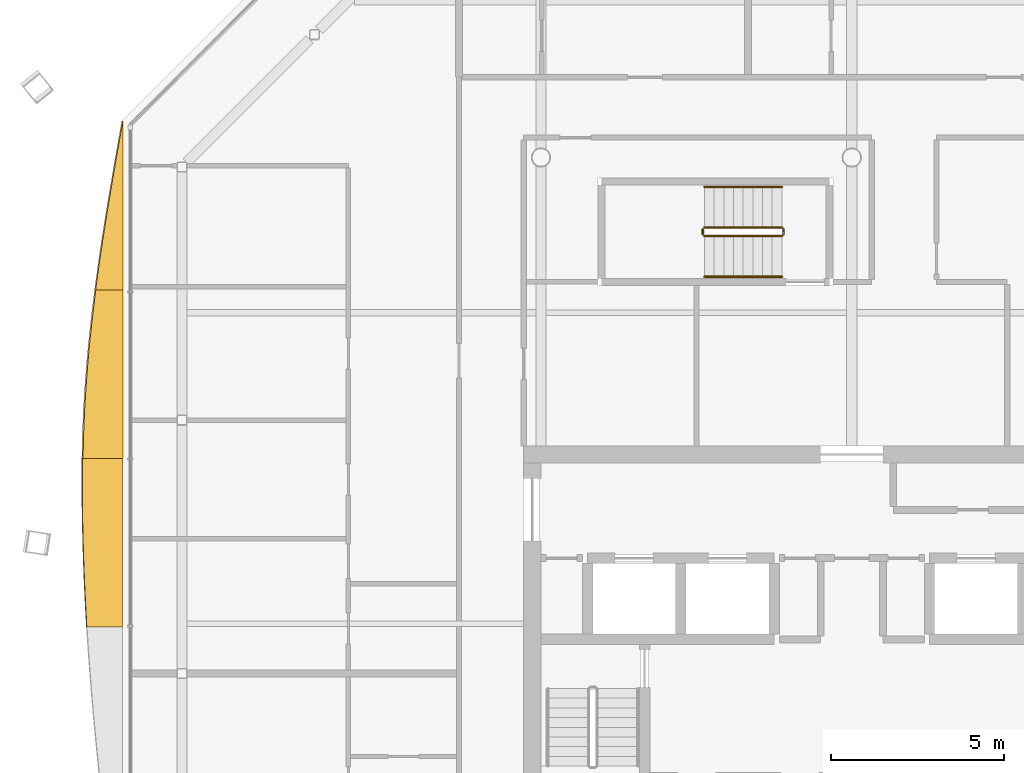
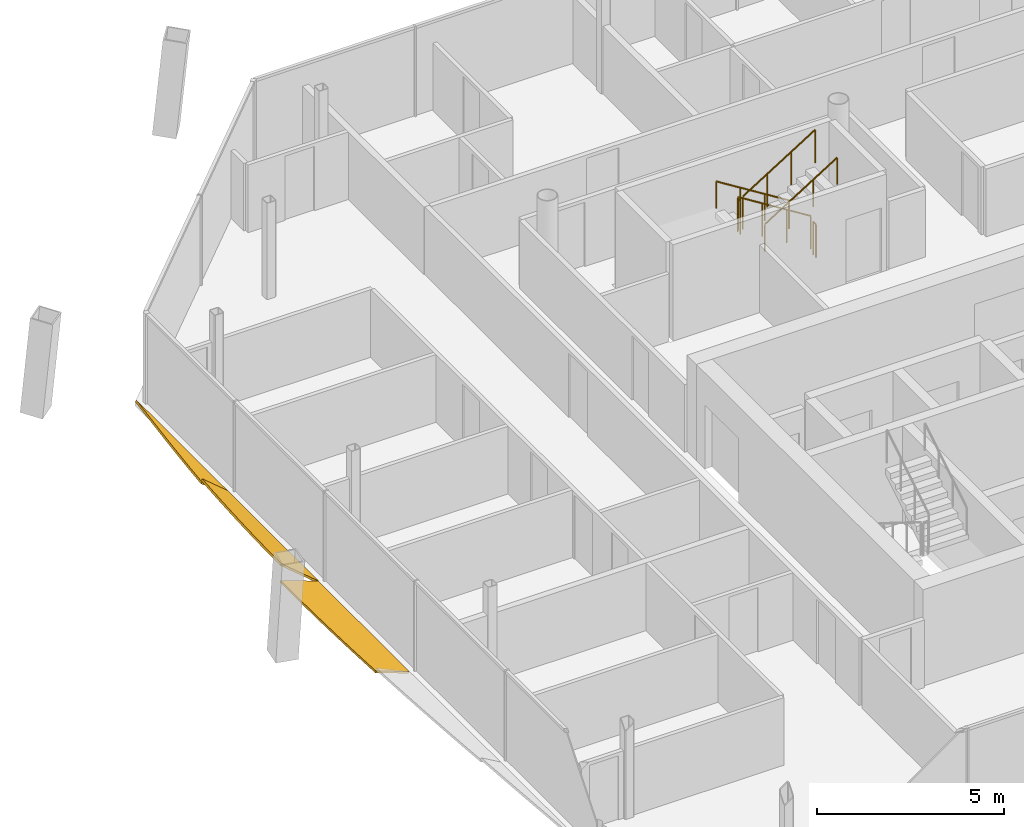
# One storey, part 14 of 15: 6 railings, 3 shading devices.
"""IFC4 building model written with IfcOpenShell, lengths in metres."""

from ifc_helpers import new_model, si_unit, direction, frame, origin, origin_2d, place, context, subcontext, project, spatial, polyline, circle, outline, extrude, material, layer, layer_set, type_object, element, save


model = new_model("IFC4")

# Units and contexts
model_context = context("Model", 3, precision=1e-05, world=origin(), true_north=direction((0.0, 1.0)))
body_context = subcontext(model_context, "Body", "Model", "MODEL_VIEW")
ifc_project = project(units=[si_unit("LENGTHUNIT", "METRE"), si_unit("AREAUNIT", "SQUARE_METRE"), si_unit("VOLUMEUNIT", "CUBIC_METRE"), si_unit("PLANEANGLEUNIT", "RADIAN"), si_unit("MASSUNIT", "GRAM", prefix="KILO")], contexts=[model_context])

# Site, building, storey
site_placement = place(None, origin())
site = spatial("IfcSite", under=ifc_project, at=site_placement, CompositionType="ELEMENT")
building_placement = place(site_placement, origin())
building = spatial("IfcBuilding", under=site, at=building_placement, Name="Tskaro Facet Tower", CompositionType="ELEMENT")
storey_placement = place(building_placement, frame((0.0, 0.0, 242.39990234375)))
storey = spatial("IfcBuildingStorey", under=building, at=storey_placement, Name="L63", CompositionType="ELEMENT", Elevation=242.39990234375)

# Shading devices
ifc_material_1 = material(Name="Bronze anodised aluminium 6063-T6", Category="aluminium")
ifc_layer = layer(ifc_material_1, 0.06005859375, Name="Bronze anodised aluminium 6063-T6")
ifc_layer_set = layer_set([ifc_layer], Name="Bronze anodised aluminium 6063-T6")
shading_device_type = type_object("IfcShadingDeviceType", Name="Bronze sun blade (FN1)", PredefinedType="USERDEFINED", material=ifc_layer_set)
shading_device_1_placement = place(storey_placement, frame((-21.1044921875, 10.052001953125, 0.04931640625), z_axis=(0.573448390661, 2.7905163e-05, 0.819241687458), x_axis=(1.6002171e-05, -0.999999999611, 2.2861073e-05)))
element("IfcShadingDevice", 1, at=shading_device_1_placement, inside=storey, type_object=shading_device_type, Name="Fin blade west 1", ObjectType="FIN", PredefinedType="USERDEFINED", context=body_context, shape_type="SweptSolid", body=[
    extrude(outline(polyline([(0.0, 0.0), (4.881835935599262, -1.654030352861034e-20), (4.881835939404421, -0.960277414026723), (4.184326170088975, -0.8442528956534843), (3.487060547533209, -0.7185479963485792), (2.7895507798838017, -0.584982793501435), (2.0922851534141733, -0.4445773237907588), (1.3947753913404168, -0.29923165852540945), (0.697509762634296, -0.15042586286857831), (0.0, 0.0)])), origin(), (0.0, 0.0, -1.0), 0.06005859375),
])
shading_device_2_placement = place(storey_placement, frame((-21.100341796875, 5.170166015625, 0.046142578125), z_axis=(0.642742180081, 4.399509e-06, 0.766082560776), x_axis=(2.82775e-06, -0.99999999999, 3.370387e-06)))
element("IfcShadingDevice", 2, at=shading_device_2_placement, inside=storey, type_object=shading_device_type, Name="Fin blade west 2", ObjectType="FIN", PredefinedType="USERDEFINED", context=body_context, shape_type="SweptSolid", body=[
    extrude(outline(polyline([(0.0, 0.0), (4.881835937452754, -2.0675379410762927e-21), (4.881835937441015, -1.5102558993115656), (4.184326171865473, -1.4885933215776166), (3.4870605472991385, -1.4501135974458728), (2.789550781111277, -1.395190790666717), (2.0922851563300604, -1.3244826915480212), (1.394775390589716, -1.2390512665456717), (0.6972656246477207, -1.1392404670124197), (-2.0852818635744638e-10, -1.026770049712024), (0.0, 0.0)])), origin(), (0.0, 0.0, -1.0), 0.06005859375),
])
shading_device_3_placement = place(storey_placement, frame((-21.118408203125, 0.288330078125, 0.056396484375), z_axis=(0.342048821956, -9.922816e-06, 0.93968218207), x_axis=(-3.394087e-06, -0.999999999951, -9.324293e-06)))
element("IfcShadingDevice", 3, at=shading_device_3_placement, inside=storey, type_object=shading_device_type, Name="Fin blade west 3", ObjectType="FIN", PredefinedType="USERDEFINED", context=body_context, shape_type="SweptSolid", body=[
    extrude(outline(polyline([(0.0, 0.0), (4.881835937259662, 0.0), (4.881835938307268, -1.0937697221612135), (4.184326171607431, -1.1348606929739118), (3.4868164069561156, -1.169381218773759), (2.789550780215967, -1.1967265637882023), (2.0920410155185216, -1.2169591265861315), (1.3947753910086829, -1.2299330005854796), (0.6972656237792045, -1.2351893565957601), (0.5368652339907358, -1.2354187711910034), (4.264479758581222e-11, -1.2312470895880496), (0.0, 0.0)])), origin(), (0.0, 0.0, -1.0), 0.06005859375),
])

# Railings
ifc_material_2 = material(Name="Stainless steel", Category="steel")
railing_type_1 = type_object("IfcRailingType", Name="RL-GUARD-1100", PredefinedType="GUARDRAIL", material=ifc_material_2)
railing_1_placement = place(storey_placement, frame((-2.02490234375, 6.97509765625, 0.175048828125)))
element("IfcRailing", 4, at=railing_1_placement, inside=storey, type_object=railing_type_1, Name="L63 ST-3 stair guard 1", PredefinedType="GUARDRAIL", context=body_context, shape_type="SweptSolid", body=[
    extrude(circle(Radius=0.02392578125, at=origin_2d()), frame((0.0, 0.0, 1.076171875), z_axis=(-0.847972341737, 0.0, 0.530040477369), x_axis=(0.0, -1.0, 0.0)), (0.0, 0.0, 1.0), 2.6416015625),
    extrude(circle(Radius=0.02099609375, at=origin_2d()), origin(), (0.0, 0.0, 1.0), 1.052001953125),
    extrude(circle(Radius=0.02099609375, at=origin_2d()), frame((-0.74658203125, 0.0, 0.466796875)), (0.0, 0.0, 1.0), 1.052001953125),
    extrude(circle(Radius=0.02099609375, at=origin_2d()), frame((-1.493408203125, 0.0, 0.933349609375)), (0.0, 0.0, 1.0), 1.052001953125),
    extrude(circle(Radius=0.02099609375, at=origin_2d()), frame((-2.239990234375, 0.0, 1.400146484375)), (0.0, 0.0, 1.0), 1.052001953125),
])
railing_2_placement = place(storey_placement, frame((-4.31494140625, 6.925048828125, 1.5751953125)))
element("IfcRailing", 5, at=railing_2_placement, inside=storey, type_object=railing_type_1, Name="L63 ST-3 stair guard 2", PredefinedType="GUARDRAIL", context=body_context, shape_type="SweptSolid", body=[
    extrude(circle(Radius=0.02392578125, at=origin_2d()), frame((0.0, 0.0, 1.076171875), z_axis=(0.0, -1.0, 0.0), x_axis=(1.0, 0.0, 0.0)), (0.0, 0.0, 1.0), 0.150146484375),
    extrude(circle(Radius=0.02099609375, at=origin_2d()), origin(), (0.0, 0.0, 1.0), 1.052001953125),
    extrude(circle(Radius=0.02099609375, at=origin_2d()), frame((0.0, -0.150146484375, 0.0)), (0.0, 0.0, 1.0), 1.052001953125),
])
railing_3_placement = place(storey_placement, frame((-4.264892578125, 6.72509765625, 1.75)))
element("IfcRailing", 6, at=railing_3_placement, inside=storey, type_object=railing_type_1, Name="L63 ST-3 stair guard 3", PredefinedType="GUARDRAIL", context=body_context, shape_type="SweptSolid", body=[
    extrude(circle(Radius=0.02392578125, at=origin_2d()), frame((0.0, 0.0, 1.076171875), z_axis=(0.847972341737, 0.0, 0.530040477369), x_axis=(0.0, 1.0, 0.0)), (0.0, 0.0, 1.0), 2.6416015625),
    extrude(circle(Radius=0.02099609375, at=origin_2d()), origin(), (0.0, 0.0, 1.0), 1.052001953125),
    extrude(circle(Radius=0.02099609375, at=origin_2d()), frame((0.74658203125, 0.0, 0.466796875)), (0.0, 0.0, 1.0), 1.052001953125),
    extrude(circle(Radius=0.02099609375, at=origin_2d()), frame((1.493408203125, 0.0, 0.933349609375)), (0.0, 0.0, 1.0), 1.052001953125),
    extrude(circle(Radius=0.02099609375, at=origin_2d()), frame((2.239990234375, 0.0, 1.400146484375)), (0.0, 0.0, 1.0), 1.052001953125),
])
railing_4_placement = place(storey_placement, frame((-1.97509765625, 6.925048828125, 0.0)))
element("IfcRailing", 7, at=railing_4_placement, inside=storey, type_object=railing_type_1, Name="L63 ST-3 stair guard 4", PredefinedType="GUARDRAIL", context=body_context, shape_type="SweptSolid", body=[
    extrude(circle(Radius=0.02392578125, at=origin_2d()), frame((0.0, 0.0, 1.076171875), z_axis=(0.0, -1.0, 0.0), x_axis=(1.0, 0.0, 0.0)), (0.0, 0.0, 1.0), 0.150146484375),
    extrude(circle(Radius=0.02099609375, at=origin_2d()), origin(), (0.0, 0.0, 1.0), 1.052001953125),
    extrude(circle(Radius=0.02099609375, at=origin_2d()), frame((0.0, -0.150146484375, 0.0)), (0.0, 0.0, 1.0), 1.052001953125),
])
railing_type_2 = type_object("IfcRailingType", Name="RL-HANDRAIL-900", PredefinedType="HANDRAIL", material=ifc_material_2)
railing_5_placement = place(storey_placement, frame((-2.02490234375, 8.14990234375, 0.175048828125)))
element("IfcRailing", 8, at=railing_5_placement, inside=storey, type_object=railing_type_2, Name="L63 ST-3 stair handrail 1", PredefinedType="HANDRAIL", context=body_context, shape_type="SweptSolid", body=[
    extrude(circle(Radius=0.02392578125, at=origin_2d()), frame((0.0, 0.0, 0.8759765625), z_axis=(-0.847972341737, 0.0, 0.530040477369), x_axis=(0.0, -1.0, 0.0)), (0.0, 0.0, 1.0), 2.6416015625),
    extrude(circle(Radius=0.02099609375, at=origin_2d()), origin(), (0.0, 0.0, 1.0), 0.851806640625),
    extrude(circle(Radius=0.02099609375, at=origin_2d()), frame((-0.74658203125, 0.0, 0.466796875)), (0.0, 0.0, 1.0), 0.851806640625),
    extrude(circle(Radius=0.02099609375, at=origin_2d()), frame((-1.493408203125, 0.0, 0.933349609375)), (0.0, 0.0, 1.0), 0.851806640625),
    extrude(circle(Radius=0.02099609375, at=origin_2d()), frame((-2.239990234375, 0.0, 1.400146484375)), (0.0, 0.0, 1.0), 0.851806640625),
])
railing_6_placement = place(storey_placement, frame((-4.264892578125, 5.550048828125, 1.75)))
element("IfcRailing", 9, at=railing_6_placement, inside=storey, type_object=railing_type_2, Name="L63 ST-3 stair handrail 2", PredefinedType="HANDRAIL", context=body_context, shape_type="SweptSolid", body=[
    extrude(circle(Radius=0.02392578125, at=origin_2d()), frame((0.0, 0.0, 0.8759765625), z_axis=(0.847972341737, 0.0, 0.530040477369), x_axis=(0.0, 1.0, 0.0)), (0.0, 0.0, 1.0), 2.6416015625),
    extrude(circle(Radius=0.02099609375, at=origin_2d()), origin(), (0.0, 0.0, 1.0), 0.851806640625),
    extrude(circle(Radius=0.02099609375, at=origin_2d()), frame((0.74658203125, 0.0, 0.466796875)), (0.0, 0.0, 1.0), 0.851806640625),
    extrude(circle(Radius=0.02099609375, at=origin_2d()), frame((1.493408203125, 0.0, 0.933349609375)), (0.0, 0.0, 1.0), 0.851806640625),
    extrude(circle(Radius=0.02099609375, at=origin_2d()), frame((2.239990234375, 0.0, 1.400146484375)), (0.0, 0.0, 1.0), 0.851806640625),
])

save(model, "model.ifc")
